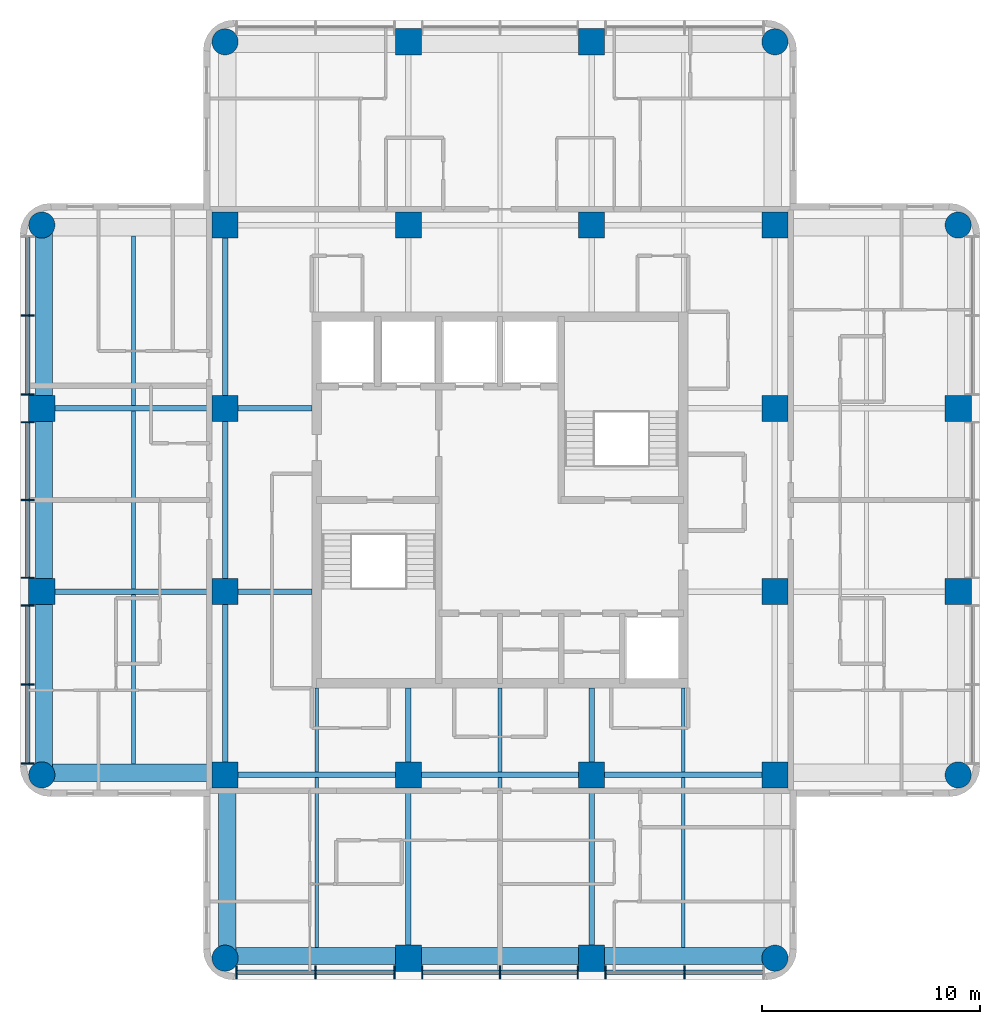
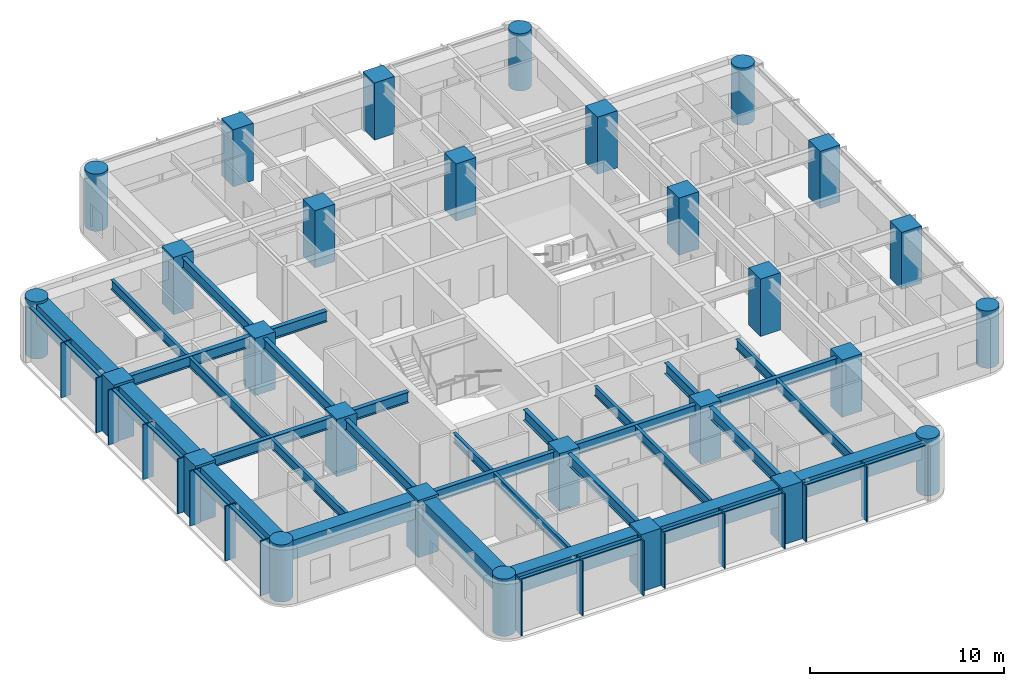
# One storey, part 1 of 10: 31 beams, 28 columns, 28 members, 2 elements without a shape of their own.
"""IFC4 building model written with IfcOpenShell, lengths in metres."""

from ifc_helpers import new_model, si_unit, direction, frame, origin, origin_2d, place, context, subcontext, project, spatial, rectangle, circle, i_section, extrude, material, material_profile, profile_set, type_object, element, aggregate, save


model = new_model("IFC4")

# Units and contexts
model_context = context("Model", 3, precision=1e-05, world=origin(), true_north=direction((0.0, 1.0)))
body_context = subcontext(model_context, "Body", "Model", "MODEL_VIEW")
ifc_project = project(units=[si_unit("LENGTHUNIT", "METRE"), si_unit("AREAUNIT", "SQUARE_METRE"), si_unit("VOLUMEUNIT", "CUBIC_METRE"), si_unit("PLANEANGLEUNIT", "RADIAN"), si_unit("MASSUNIT", "GRAM", prefix="KILO")], contexts=[model_context])

# Site, building, storey
site_placement = place(None, origin())
site = spatial("IfcSite", under=ifc_project, at=site_placement, CompositionType="ELEMENT")
building_placement = place(site_placement, origin())
building = spatial("IfcBuilding", under=site, at=building_placement, Name="Torre Alcanfor", CompositionType="ELEMENT")
storey_placement = place(building_placement, frame((0.0, 0.0, 293.699951171875)))
storey = spatial("IfcBuildingStorey", under=building, at=storey_placement, Name="L77", CompositionType="ELEMENT", Elevation=293.699951171875)

# Columns
ifc_material_1 = material(Name="Concrete f'c 70 MPa", Category="concrete")
ifc_material_profile_1 = material_profile(ifc_material_1, rectangle(XDim=1.199951171875, YDim=1.199951171875, at=origin_2d()), Name="1200x1200")
ifc_profile_set_1 = profile_set([ifc_material_profile_1], Name="Concrete f'c 70 MPa")
column_type_1 = type_object("IfcColumnType", Name="RC column 1200x1200 f'c70", PredefinedType="COLUMN", material=ifc_profile_set_1)
for number, where, z_axis, x_axis, name in (
    (1, (8.39990234375, 25.199951171875, 0.0), (0.0, 0.0, 1.0), (1.0, 0.0, 0.0), "Column 2/F L77"),
    (2, (8.39990234375, 33.60009765625, 0.0), (0.0, 0.0, 1.0), (1.0, 0.0, 0.0), "Column 2/G L77"),
    (3, (16.800048828125, 16.800048828125, 0.0), (0.0, 0.0, 1.0), (1.0, 0.0, 0.0), "Column 3/E L77"),
    (4, (16.800048828125, 25.199951171875, 0.0), (0.0, 0.0, 1.0), (1.0, 0.0, 0.0), "Column 3/F L77"),
    (5, (16.800048828125, 33.60009765625, 0.0), (0.0, 0.0, 1.0), (1.0, 0.0, 0.0), "Column 3/G L77"),
    (6, (16.800048828125, 42.0, 0.0), (0.0, 0.0, 1.0), (1.0, 0.0, 0.0), "Column 3/H L77"),
    (7, (25.199951171875, 8.39990234375, 0.0), (0.0, 0.0, 1.0), (1.0, 0.0, 0.0), "Column 4/D L77"),
    (8, (25.199951171875, 16.800048828125, 0.0), (0.0, 0.0, 1.0), (1.0, 0.0, 0.0), "Column 4/E L77"),
    (9, (25.199951171875, 42.0, 0.0), (0.0, 0.0, 1.0), (1.0, 0.0, 0.0), "Column 4/H L77"),
    (10, (25.199951171875, 50.39990234375, 0.0), (0.0, 0.0, 1.0), (1.0, 0.0, 0.0), "Column 4/J L77"),
    (11, (33.60009765625, 8.39990234375, 0.0), (0.0, 0.0, 1.0), (1.0, 0.0, 0.0), "Column 5/D L77"),
    (12, (33.60009765625, 16.800048828125, 0.0), (0.0, 0.0, 1.0), (1.0, 0.0, 0.0), "Column 5/E L77"),
    (13, (33.60009765625, 42.0, 0.0), (0.0, 0.0, 1.0), (1.0, 0.0, 0.0), "Column 5/H L77"),
    (14, (33.60009765625, 50.39990234375, 0.0), (0.0, 0.0, 1.0), (1.0, 0.0, 0.0), "Column 5/J L77"),
    (15, (42.0, 16.800048828125, 0.0), (0.0, 0.0, 1.0), (1.0, 0.0, 0.0), "Column 6/E L77"),
    (16, (42.0, 25.199951171875, 0.0), (0.0, 0.0, 1.0), (1.0, 0.0, 0.0), "Column 6/F L77"),
    (17, (42.0, 33.60009765625, 0.0), (0.0, 0.0, 1.0), (1.0, 0.0, 0.0), "Column 6/G L77"),
    (18, (42.0, 42.0, 0.0), (0.0, 0.0, 1.0), (1.0, 0.0, 0.0), "Column 6/H L77"),
    (19, (50.39990234375, 25.199951171875, 0.0), (0.0, 0.0, 1.0), (1.0, 0.0, 0.0), "Column 7/F L77"),
    (20, (50.39990234375, 33.60009765625, 0.0), (0.0, 0.0, 1.0), (1.0, 0.0, 0.0), "Column 7/G L77"),
):
    element("IfcColumn", number, at=place(storey_placement, frame(where, z_axis=z_axis, x_axis=x_axis)), inside=storey, type_object=column_type_1, Name=name, PredefinedType="COLUMN", context=body_context, shape_type="SweptSolid", body=[
        extrude(rectangle(XDim=1.199951171875, YDim=1.199951171875, at=origin_2d()), origin(), (0.0, 0.0, 1.0), 3.60009765625),
    ])
ifc_material_2 = material(Name="Concrete f'c 70 MPa", Category="concrete")
ifc_material_profile_2 = material_profile(ifc_material_2, circle(Radius=0.60009765625, at=origin_2d()), Name="D1200")
ifc_profile_set_2 = profile_set([ifc_material_profile_2], Name="Concrete f'c 70 MPa")
column_type_2 = type_object("IfcColumnType", Name="RC column D1200 f'c70", PredefinedType="COLUMN", material=ifc_profile_set_2)
for number, where, z_axis, x_axis, name in (
    (21, (8.39990234375, 16.800048828125, 0.0), (0.0, 0.0, 1.0), (1.0, 0.0, 0.0), "Column 2/E L77"),
    (22, (8.39990234375, 42.0, 0.0), (0.0, 0.0, 1.0), (1.0, 0.0, 0.0), "Column 2/H L77"),
    (23, (16.800048828125, 8.39990234375, 0.0), (0.0, 0.0, 1.0), (1.0, 0.0, 0.0), "Column 3/D L77"),
    (24, (16.800048828125, 50.39990234375, 0.0), (0.0, 0.0, 1.0), (1.0, 0.0, 0.0), "Column 3/J L77"),
    (25, (42.0, 8.39990234375, 0.0), (0.0, 0.0, 1.0), (1.0, 0.0, 0.0), "Column 6/D L77"),
    (26, (42.0, 50.39990234375, 0.0), (0.0, 0.0, 1.0), (1.0, 0.0, 0.0), "Column 6/J L77"),
    (27, (50.39990234375, 16.800048828125, 0.0), (0.0, 0.0, 1.0), (1.0, 0.0, 0.0), "Column 7/E L77"),
    (28, (50.39990234375, 42.0, 0.0), (0.0, 0.0, 1.0), (1.0, 0.0, 0.0), "Column 7/H L77"),
):
    element("IfcColumn", number, at=place(storey_placement, frame(where, z_axis=z_axis, x_axis=x_axis)), inside=storey, type_object=column_type_2, Name=name, PredefinedType="COLUMN", context=body_context, shape_type="SweptSolid", body=[
        extrude(circle(Radius=0.60009765625, at=origin_2d()), origin(), (0.0, 0.0, 1.0), 3.60009765625),
    ])

# Curtain wall, members
ifc_material_3 = material(Name="Aluminium and glass", Category="aluminium")
curtain_wall_type = type_object("IfcCurtainWallType", Name="CW-A unitised apartment glazing with vertical FIN", PredefinedType="NOTDEFINED", material=ifc_material_3)
curtain_wall_1_placement = place(storey_placement, origin())
curtain_wall_1 = element("IfcCurtainWall", 29, at=curtain_wall_1_placement, inside=storey, type_object=curtain_wall_type, Name="Curtain wall CW-A L77 2", PredefinedType="NOTDEFINED")
ifc_material_4 = material(Name="Bronze anodised aluminium", Category="aluminium")
ifc_material_profile_3 = material_profile(ifc_material_4, rectangle(XDim=0.60009765625, YDim=0.06494140625, at=origin_2d()), Name="CW-A mullion 65x600")
ifc_profile_set_3 = profile_set([ifc_material_profile_3], Name="Bronze anodised aluminium")
member_type_1 = type_object("IfcMemberType", Name="CW-A mullion with vertical FIN 65x600", PredefinedType="MULLION", material=ifc_profile_set_3)
member_1_placement = place(storey_placement, frame((7.75, 37.855712890625, 0.0), z_axis=(0.0, 0.0, 1.0), x_axis=(1.0, 0.0, 0.0)))
member_1 = element("IfcMember", 30, at=member_1_placement, type_object=member_type_1, Name="CW-A mullion 1.2", PredefinedType="MULLION", context=body_context, shape_type="SweptSolid", body=[
    extrude(rectangle(XDim=0.60009765625, YDim=0.06494140625, at=origin_2d()), origin(), (0.0, 0.0, 1.0), 3.449951171875),
])
member_2_placement = place(storey_placement, frame((7.75, 34.237548828125, 0.0), z_axis=(0.0, 0.0, 1.0), x_axis=(1.0, 0.0, 0.0)))
member_2 = element("IfcMember", 31, at=member_2_placement, type_object=member_type_1, Name="CW-A mullion 1.3", PredefinedType="MULLION", context=body_context, shape_type="SweptSolid", body=[
    extrude(rectangle(XDim=0.60009765625, YDim=0.06494140625, at=origin_2d()), origin(), (0.0, 0.0, 1.0), 3.449951171875),
])
member_3_placement = place(storey_placement, frame((7.75, 32.96240234375, 0.0), z_axis=(0.0, 0.0, 1.0), x_axis=(1.0, 0.0, 0.0)))
member_3 = element("IfcMember", 32, at=member_3_placement, type_object=member_type_1, Name="CW-A mullion 2.1", PredefinedType="MULLION", context=body_context, shape_type="SweptSolid", body=[
    extrude(rectangle(XDim=0.60009765625, YDim=0.06494140625, at=origin_2d()), origin(), (0.0, 0.0, 1.0), 3.449951171875),
])
member_4_placement = place(storey_placement, frame((7.75, 29.39990234375, 0.0), z_axis=(0.0, 0.0, 1.0), x_axis=(1.0, 0.0, 0.0)))
member_4 = element("IfcMember", 33, at=member_4_placement, type_object=member_type_1, Name="CW-A mullion 2.2", PredefinedType="MULLION", context=body_context, shape_type="SweptSolid", body=[
    extrude(rectangle(XDim=0.60009765625, YDim=0.06494140625, at=origin_2d()), origin(), (0.0, 0.0, 1.0), 3.449951171875),
])
member_5_placement = place(storey_placement, frame((7.75, 25.83740234375, 0.0), z_axis=(0.0, 0.0, 1.0), x_axis=(1.0, 0.0, 0.0)))
member_5 = element("IfcMember", 34, at=member_5_placement, type_object=member_type_1, Name="CW-A mullion 2.3", PredefinedType="MULLION", context=body_context, shape_type="SweptSolid", body=[
    extrude(rectangle(XDim=0.60009765625, YDim=0.06494140625, at=origin_2d()), origin(), (0.0, 0.0, 1.0), 3.449951171875),
])
member_6_placement = place(storey_placement, frame((7.75, 24.5625, 0.0), z_axis=(0.0, 0.0, 1.0), x_axis=(1.0, 0.0, 0.0)))
member_6 = element("IfcMember", 35, at=member_6_placement, type_object=member_type_1, Name="CW-A mullion 3.1", PredefinedType="MULLION", context=body_context, shape_type="SweptSolid", body=[
    extrude(rectangle(XDim=0.60009765625, YDim=0.06494140625, at=origin_2d()), origin(), (0.0, 0.0, 1.0), 3.449951171875),
])
member_7_placement = place(storey_placement, frame((7.75, 20.9443359375, 0.0), z_axis=(0.0, 0.0, 1.0), x_axis=(1.0, 0.0, 0.0)))
member_7 = element("IfcMember", 36, at=member_7_placement, type_object=member_type_1, Name="CW-A mullion 3.2", PredefinedType="MULLION", context=body_context, shape_type="SweptSolid", body=[
    extrude(rectangle(XDim=0.60009765625, YDim=0.06494140625, at=origin_2d()), origin(), (0.0, 0.0, 1.0), 3.449951171875),
])
member_8_placement = place(storey_placement, frame((7.75, 17.325927734375, 0.0), z_axis=(0.0, 0.0, 1.0), x_axis=(1.0, 0.0, 0.0)))
member_8 = element("IfcMember", 37, at=member_8_placement, type_object=member_type_1, Name="CW-A mullion 3.3", PredefinedType="MULLION", context=body_context, shape_type="SweptSolid", body=[
    extrude(rectangle(XDim=0.60009765625, YDim=0.06494140625, at=origin_2d()), origin(), (0.0, 0.0, 1.0), 3.449951171875),
])

curtain_wall_2_placement = place(storey_placement, origin())
curtain_wall_2 = element("IfcCurtainWall", 38, at=curtain_wall_2_placement, inside=storey, type_object=curtain_wall_type, Name="Curtain wall CW-A L77 5", PredefinedType="NOTDEFINED")
member_9_placement = place(storey_placement, frame((17.325927734375, 7.75, 0.0), z_axis=(0.0, 0.0, 1.0), x_axis=(0.0, 1.0, 0.0)))
member_9 = element("IfcMember", 39, at=member_9_placement, type_object=member_type_1, Name="CW-A mullion 1.1", PredefinedType="MULLION", context=body_context, shape_type="SweptSolid", body=[
    extrude(rectangle(XDim=0.60009765625, YDim=0.06494140625, at=origin_2d()), origin(), (0.0, 0.0, 1.0), 3.449951171875),
])
member_10_placement = place(storey_placement, frame((20.9443359375, 7.75, 0.0), z_axis=(0.0, 0.0, 1.0), x_axis=(0.0, 1.0, 0.0)))
member_10 = element("IfcMember", 40, at=member_10_placement, type_object=member_type_1, Name="CW-A mullion 1.2", PredefinedType="MULLION", context=body_context, shape_type="SweptSolid", body=[
    extrude(rectangle(XDim=0.60009765625, YDim=0.06494140625, at=origin_2d()), origin(), (0.0, 0.0, 1.0), 3.449951171875),
])
member_11_placement = place(storey_placement, frame((24.5625, 7.75, 0.0), z_axis=(0.0, 0.0, 1.0), x_axis=(0.0, 1.0, 0.0)))
member_11 = element("IfcMember", 41, at=member_11_placement, type_object=member_type_1, Name="CW-A mullion 1.3", PredefinedType="MULLION", context=body_context, shape_type="SweptSolid", body=[
    extrude(rectangle(XDim=0.60009765625, YDim=0.06494140625, at=origin_2d()), origin(), (0.0, 0.0, 1.0), 3.449951171875),
])
member_12_placement = place(storey_placement, frame((25.83740234375, 7.75, 0.0), z_axis=(0.0, 0.0, 1.0), x_axis=(0.0, 1.0, 0.0)))
member_12 = element("IfcMember", 42, at=member_12_placement, type_object=member_type_1, Name="CW-A mullion 2.1", PredefinedType="MULLION", context=body_context, shape_type="SweptSolid", body=[
    extrude(rectangle(XDim=0.60009765625, YDim=0.06494140625, at=origin_2d()), origin(), (0.0, 0.0, 1.0), 3.449951171875),
])
member_13_placement = place(storey_placement, frame((29.39990234375, 7.75, 0.0), z_axis=(0.0, 0.0, 1.0), x_axis=(0.0, 1.0, 0.0)))
member_13 = element("IfcMember", 43, at=member_13_placement, type_object=member_type_1, Name="CW-A mullion 2.2", PredefinedType="MULLION", context=body_context, shape_type="SweptSolid", body=[
    extrude(rectangle(XDim=0.60009765625, YDim=0.06494140625, at=origin_2d()), origin(), (0.0, 0.0, 1.0), 3.449951171875),
])
member_14_placement = place(storey_placement, frame((32.96240234375, 7.75, 0.0), z_axis=(0.0, 0.0, 1.0), x_axis=(0.0, 1.0, 0.0)))
member_14 = element("IfcMember", 44, at=member_14_placement, type_object=member_type_1, Name="CW-A mullion 2.3", PredefinedType="MULLION", context=body_context, shape_type="SweptSolid", body=[
    extrude(rectangle(XDim=0.60009765625, YDim=0.06494140625, at=origin_2d()), origin(), (0.0, 0.0, 1.0), 3.449951171875),
])
member_15_placement = place(storey_placement, frame((34.237548828125, 7.75, 0.0), z_axis=(0.0, 0.0, 1.0), x_axis=(0.0, 1.0, 0.0)))
member_15 = element("IfcMember", 45, at=member_15_placement, type_object=member_type_1, Name="CW-A mullion 3.1", PredefinedType="MULLION", context=body_context, shape_type="SweptSolid", body=[
    extrude(rectangle(XDim=0.60009765625, YDim=0.06494140625, at=origin_2d()), origin(), (0.0, 0.0, 1.0), 3.449951171875),
])
member_16_placement = place(storey_placement, frame((37.855712890625, 7.75, 0.0), z_axis=(0.0, 0.0, 1.0), x_axis=(0.0, 1.0, 0.0)))
member_16 = element("IfcMember", 46, at=member_16_placement, type_object=member_type_1, Name="CW-A mullion 3.2", PredefinedType="MULLION", context=body_context, shape_type="SweptSolid", body=[
    extrude(rectangle(XDim=0.60009765625, YDim=0.06494140625, at=origin_2d()), origin(), (0.0, 0.0, 1.0), 3.449951171875),
])

# Member
ifc_material_5 = material(Name="Extruded aluminium", Category="aluminium")
ifc_material_profile_4 = material_profile(ifc_material_5, rectangle(XDim=0.199951171875, YDim=0.06494140625, at=origin_2d()), Name="CW-A transom 200x65")
ifc_profile_set_4 = profile_set([ifc_material_profile_4], Name="Extruded aluminium")
member_type_2 = type_object("IfcMemberType", Name="CW-A transom 65x200", PredefinedType="USERDEFINED", material=ifc_profile_set_4)
member_17_placement = place(storey_placement, frame((7.75, 41.44140625, 3.41748046875), z_axis=(0.0, -1.0, 0.0), x_axis=(1.0, 0.0, 0.0)))
member_17 = element("IfcMember", 47, at=member_17_placement, type_object=member_type_2, Name="CW-A transom 1.1.2", ObjectType="TRANSOM", PredefinedType="USERDEFINED", context=body_context, shape_type="SweptSolid", body=[
    extrude(rectangle(XDim=0.199951171875, YDim=0.06494140625, at=origin_2d()), origin(), (0.0, 0.0, 1.0), 3.55322265625),
])

member_18_placement = place(storey_placement, frame((7.75, 37.8232421875, 3.41748046875), z_axis=(0.0, -1.0, 0.0), x_axis=(1.0, 0.0, 0.0)))
member_18 = element("IfcMember", 48, at=member_18_placement, type_object=member_type_2, Name="CW-A transom 1.2.2", ObjectType="TRANSOM", PredefinedType="USERDEFINED", context=body_context, shape_type="SweptSolid", body=[
    extrude(rectangle(XDim=0.199951171875, YDim=0.06494140625, at=origin_2d()), origin(), (0.0, 0.0, 1.0), 3.55322265625),
])

member_19_placement = place(storey_placement, frame((7.75, 32.929931640625, 3.41748046875), z_axis=(0.0, -1.0, 0.0), x_axis=(1.0, 0.0, 0.0)))
member_19 = element("IfcMember", 49, at=member_19_placement, type_object=member_type_2, Name="CW-A transom 2.1.2", ObjectType="TRANSOM", PredefinedType="USERDEFINED", context=body_context, shape_type="SweptSolid", body=[
    extrude(rectangle(XDim=0.199951171875, YDim=0.06494140625, at=origin_2d()), origin(), (0.0, 0.0, 1.0), 3.497314453125),
])

member_20_placement = place(storey_placement, frame((7.75, 29.367431640625, 3.41748046875), z_axis=(0.0, -1.0, 0.0), x_axis=(1.0, 0.0, 0.0)))
member_20 = element("IfcMember", 50, at=member_20_placement, type_object=member_type_2, Name="CW-A transom 2.2.2", ObjectType="TRANSOM", PredefinedType="USERDEFINED", context=body_context, shape_type="SweptSolid", body=[
    extrude(rectangle(XDim=0.199951171875, YDim=0.06494140625, at=origin_2d()), origin(), (0.0, 0.0, 1.0), 3.497314453125),
])

member_21_placement = place(storey_placement, frame((7.75, 24.530029296875, 3.41748046875), z_axis=(0.0, -1.0, 0.0), x_axis=(1.0, 0.0, 0.0)))
member_21 = element("IfcMember", 51, at=member_21_placement, type_object=member_type_2, Name="CW-A transom 3.1.2", ObjectType="TRANSOM", PredefinedType="USERDEFINED", context=body_context, shape_type="SweptSolid", body=[
    extrude(rectangle(XDim=0.199951171875, YDim=0.06494140625, at=origin_2d()), origin(), (0.0, 0.0, 1.0), 3.55322265625),
])

member_22_placement = place(storey_placement, frame((7.75, 20.911865234375, 3.41748046875), z_axis=(0.0, -1.0, 0.0), x_axis=(1.0, 0.0, 0.0)))
member_22 = element("IfcMember", 52, at=member_22_placement, type_object=member_type_2, Name="CW-A transom 3.2.2", ObjectType="TRANSOM", PredefinedType="USERDEFINED", context=body_context, shape_type="SweptSolid", body=[
    extrude(rectangle(XDim=0.199951171875, YDim=0.06494140625, at=origin_2d()), origin(), (0.0, 0.0, 1.0), 3.553466796875),
])

aggregate(curtain_wall_1, [member_1, member_2, member_17, member_18, member_3, member_4, member_5, member_19, member_20, member_6, member_7, member_8, member_21, member_22])

member_23_placement = place(storey_placement, frame((17.3583984375, 7.75, 3.41748046875), z_axis=(1.0, 0.0, 0.0), x_axis=(0.0, 1.0, 0.0)))
member_23 = element("IfcMember", 53, at=member_23_placement, type_object=member_type_2, Name="CW-A transom 1.1.2", ObjectType="TRANSOM", PredefinedType="USERDEFINED", context=body_context, shape_type="SweptSolid", body=[
    extrude(rectangle(XDim=0.199951171875, YDim=0.06494140625, at=origin_2d()), origin(), (0.0, 0.0, 1.0), 3.553466796875),
])

member_24_placement = place(storey_placement, frame((20.976806640625, 7.75, 3.41748046875), z_axis=(1.0, 0.0, 0.0), x_axis=(0.0, 1.0, 0.0)))
member_24 = element("IfcMember", 54, at=member_24_placement, type_object=member_type_2, Name="CW-A transom 1.2.2", ObjectType="TRANSOM", PredefinedType="USERDEFINED", context=body_context, shape_type="SweptSolid", body=[
    extrude(rectangle(XDim=0.199951171875, YDim=0.06494140625, at=origin_2d()), origin(), (0.0, 0.0, 1.0), 3.55322265625),
])

member_25_placement = place(storey_placement, frame((25.8701171875, 7.75, 3.41748046875), z_axis=(1.0, 0.0, 0.0), x_axis=(0.0, 1.0, 0.0)))
member_25 = element("IfcMember", 55, at=member_25_placement, type_object=member_type_2, Name="CW-A transom 2.1.2", ObjectType="TRANSOM", PredefinedType="USERDEFINED", context=body_context, shape_type="SweptSolid", body=[
    extrude(rectangle(XDim=0.199951171875, YDim=0.06494140625, at=origin_2d()), origin(), (0.0, 0.0, 1.0), 3.497314453125),
])

member_26_placement = place(storey_placement, frame((29.4326171875, 7.75, 3.41748046875), z_axis=(1.0, 0.0, 0.0), x_axis=(0.0, 1.0, 0.0)))
member_26 = element("IfcMember", 56, at=member_26_placement, type_object=member_type_2, Name="CW-A transom 2.2.2", ObjectType="TRANSOM", PredefinedType="USERDEFINED", context=body_context, shape_type="SweptSolid", body=[
    extrude(rectangle(XDim=0.199951171875, YDim=0.06494140625, at=origin_2d()), origin(), (0.0, 0.0, 1.0), 3.497314453125),
])

member_27_placement = place(storey_placement, frame((34.27001953125, 7.75, 3.41748046875), z_axis=(1.0, 0.0, 0.0), x_axis=(0.0, 1.0, 0.0)))
member_27 = element("IfcMember", 57, at=member_27_placement, type_object=member_type_2, Name="CW-A transom 3.1.2", ObjectType="TRANSOM", PredefinedType="USERDEFINED", context=body_context, shape_type="SweptSolid", body=[
    extrude(rectangle(XDim=0.199951171875, YDim=0.06494140625, at=origin_2d()), origin(), (0.0, 0.0, 1.0), 3.55322265625),
])

member_28_placement = place(storey_placement, frame((37.88818359375, 7.75, 3.41748046875), z_axis=(1.0, 0.0, 0.0), x_axis=(0.0, 1.0, 0.0)))
member_28 = element("IfcMember", 58, at=member_28_placement, type_object=member_type_2, Name="CW-A transom 3.2.2", ObjectType="TRANSOM", PredefinedType="USERDEFINED", context=body_context, shape_type="SweptSolid", body=[
    extrude(rectangle(XDim=0.199951171875, YDim=0.06494140625, at=origin_2d()), origin(), (0.0, 0.0, 1.0), 3.55322265625),
])

aggregate(curtain_wall_2, [member_9, member_10, member_11, member_23, member_24, member_12, member_13, member_14, member_25, member_26, member_15, member_16, member_27, member_28])

# Beams
ifc_material_6 = material(Name="Steel ASTM A992 Grade 50", Category="steel")
ifc_material_profile_5 = material_profile(ifc_material_6, i_section(OverallWidth=0.25390625, OverallDepth=0.683349609375, WebThickness=0.012451171875, FlangeThickness=0.01904296875, at=origin_2d()), Name="W27x94")
ifc_profile_set_5 = profile_set([ifc_material_profile_5], Name="Steel ASTM A992 Grade 50")
beam_type_1 = type_object("IfcBeamType", Name="Girder W27x94", PredefinedType="BEAM", material=ifc_profile_set_5)
beam_1_placement = place(storey_placement, frame((16.800048828125, 16.800048828125, 3.1083984375), z_axis=(1.0, 0.0, 0.0), x_axis=(0.0, 1.0, 0.0)))
element("IfcBeam", 59, at=beam_1_placement, inside=storey, type_object=beam_type_1, Name="Beam 3E-4E under L78", PredefinedType="BEAM", context=body_context, shape_type="SweptSolid", body=[
    extrude(i_section(OverallWidth=0.25390625, OverallDepth=0.683349609375, WebThickness=0.012451171875, FlangeThickness=0.01904296875, at=origin_2d()), origin(), (0.0, 0.0, 1.0), 8.39990234375),
])
beam_2_placement = place(storey_placement, frame((25.199951171875, 16.800048828125, 3.1083984375), z_axis=(1.0, 0.0, 0.0), x_axis=(0.0, 1.0, 0.0)))
element("IfcBeam", 60, at=beam_2_placement, inside=storey, type_object=beam_type_1, Name="Beam 4E-5E under L78", PredefinedType="BEAM", context=body_context, shape_type="SweptSolid", body=[
    extrude(i_section(OverallWidth=0.25390625, OverallDepth=0.683349609375, WebThickness=0.012451171875, FlangeThickness=0.01904296875, at=origin_2d()), origin(), (0.0, 0.0, 1.0), 8.400146484375),
])
beam_3_placement = place(storey_placement, frame((33.60009765625, 16.800048828125, 3.1083984375), z_axis=(1.0, 0.0, 0.0), x_axis=(0.0, 1.0, 0.0)))
element("IfcBeam", 61, at=beam_3_placement, inside=storey, type_object=beam_type_1, Name="Beam 5E-6E under L78", PredefinedType="BEAM", context=body_context, shape_type="SweptSolid", body=[
    extrude(i_section(OverallWidth=0.25390625, OverallDepth=0.683349609375, WebThickness=0.012451171875, FlangeThickness=0.01904296875, at=origin_2d()), origin(), (0.0, 0.0, 1.0), 8.39990234375),
])
for number, where, z_axis, x_axis, name in (
    (62, (8.39990234375, 25.199951171875, 3.1083984375), (1.0, 0.0, 0.0), (0.0, 1.0, 0.0), "Beam 2F-3F under L78"),
    (63, (8.39990234375, 33.60009765625, 3.1083984375), (1.0, 0.0, 0.0), (0.0, 1.0, 0.0), "Beam 2G-3G under L78"),
):
    element("IfcBeam", number, at=place(storey_placement, frame(where, z_axis=z_axis, x_axis=x_axis)), inside=storey, type_object=beam_type_1, Name=name, PredefinedType="BEAM", context=body_context, shape_type="SweptSolid", body=[
        extrude(i_section(OverallWidth=0.25390625, OverallDepth=0.683349609375, WebThickness=0.012451171875, FlangeThickness=0.01904296875, at=origin_2d()), origin(), (0.0, 0.0, 1.0), 8.400146484375),
    ])
beam_4_placement = place(storey_placement, frame((16.800048828125, 16.800048828125, 3.1083984375), z_axis=(0.0, 1.0, 0.0), x_axis=(-1.0, 0.0, 0.0)))
element("IfcBeam", 64, at=beam_4_placement, inside=storey, type_object=beam_type_1, Name="Beam 3E-3F under L78", PredefinedType="BEAM", context=body_context, shape_type="SweptSolid", body=[
    extrude(i_section(OverallWidth=0.25390625, OverallDepth=0.683349609375, WebThickness=0.012451171875, FlangeThickness=0.01904296875, at=origin_2d()), origin(), (0.0, 0.0, 1.0), 8.39990234375),
])
beam_5_placement = place(storey_placement, frame((16.800048828125, 25.199951171875, 3.1083984375), z_axis=(0.0, 1.0, 0.0), x_axis=(-1.0, 0.0, 0.0)))
element("IfcBeam", 65, at=beam_5_placement, inside=storey, type_object=beam_type_1, Name="Beam 3F-3G under L78", PredefinedType="BEAM", context=body_context, shape_type="SweptSolid", body=[
    extrude(i_section(OverallWidth=0.25390625, OverallDepth=0.683349609375, WebThickness=0.012451171875, FlangeThickness=0.01904296875, at=origin_2d()), origin(), (0.0, 0.0, 1.0), 8.400146484375),
])
beam_6_placement = place(storey_placement, frame((16.800048828125, 33.60009765625, 3.1083984375), z_axis=(0.0, 1.0, 0.0), x_axis=(-1.0, 0.0, 0.0)))
element("IfcBeam", 66, at=beam_6_placement, inside=storey, type_object=beam_type_1, Name="Beam 3G-3H under L78", PredefinedType="BEAM", context=body_context, shape_type="SweptSolid", body=[
    extrude(i_section(OverallWidth=0.25390625, OverallDepth=0.683349609375, WebThickness=0.012451171875, FlangeThickness=0.01904296875, at=origin_2d()), origin(), (0.0, 0.0, 1.0), 8.39990234375),
])
for number, where, z_axis, x_axis, name in (
    (67, (25.199951171875, 8.39990234375, 3.1083984375), (0.0, 1.0, 0.0), (-1.0, 0.0, 0.0), "Beam 4D-4E under L78"),
    (68, (33.60009765625, 8.39990234375, 3.1083984375), (0.0, 1.0, 0.0), (-1.0, 0.0, 0.0), "Beam 5D-5E under L78"),
):
    element("IfcBeam", number, at=place(storey_placement, frame(where, z_axis=z_axis, x_axis=x_axis)), inside=storey, type_object=beam_type_1, Name=name, PredefinedType="BEAM", context=body_context, shape_type="SweptSolid", body=[
        extrude(i_section(OverallWidth=0.25390625, OverallDepth=0.683349609375, WebThickness=0.012451171875, FlangeThickness=0.01904296875, at=origin_2d()), origin(), (0.0, 0.0, 1.0), 8.400146484375),
    ])
ifc_material_7 = material(Name="Steel ASTM A992 Grade 50", Category="steel")
ifc_material_profile_6 = material_profile(ifc_material_7, i_section(OverallWidth=0.25390625, OverallDepth=0.683349609375, WebThickness=0.012451171875, FlangeThickness=0.01904296875, at=origin_2d()), Name="W27x94")
ifc_profile_set_6 = profile_set([ifc_material_profile_6], Name="Steel ASTM A992 Grade 50")
beam_type_2 = type_object("IfcBeamType", Name="Girder, part bay W27x94", PredefinedType="BEAM", material=ifc_profile_set_6)
for number, where, z_axis, x_axis, name in (
    (69, (25.199951171875, 16.800048828125, 3.1083984375), (0.0, 1.0, 0.0), (-1.0, 0.0, 0.0), "Beam 4E-420_775 under L78"),
    (70, (33.60009765625, 16.800048828125, 3.1083984375), (0.0, 1.0, 0.0), (-1.0, 0.0, 0.0), "Beam 5E-520_775 under L78"),
    (71, (16.800048828125, 25.199951171875, 3.1083984375), (1.0, 0.0, 0.0), (0.0, 1.0, 0.0), "Beam 3F-20_775F under L78"),
    (72, (16.800048828125, 33.60009765625, 3.1083984375), (1.0, 0.0, 0.0), (0.0, 1.0, 0.0), "Beam 3G-20_775G under L78"),
):
    element("IfcBeam", number, at=place(storey_placement, frame(where, z_axis=z_axis, x_axis=x_axis)), inside=storey, type_object=beam_type_2, Name=name, PredefinedType="BEAM", context=body_context, shape_type="SweptSolid", body=[
        extrude(i_section(OverallWidth=0.25390625, OverallDepth=0.683349609375, WebThickness=0.012451171875, FlangeThickness=0.01904296875, at=origin_2d()), origin(), (0.0, 0.0, 1.0), 3.974853515625),
    ])
ifc_material_8 = material(Name="Concrete f'c 70 MPa", Category="concrete")
ifc_material_profile_7 = material_profile(ifc_material_8, rectangle(XDim=0.800048828125, YDim=1.199951171875, at=origin_2d()), Name="800x1200")
ifc_profile_set_7 = profile_set([ifc_material_profile_7], Name="Concrete f'c 70 MPa")
beam_type_3 = type_object("IfcBeamType", Name="RC perimeter beam 800x1200", PredefinedType="BEAM", material=ifc_profile_set_7)
beam_7_placement = place(storey_placement, frame((16.800048828125, 8.5, 2.85009765625), z_axis=(1.0, 0.0, 0.0), x_axis=(0.0, 1.0, 0.0)))
element("IfcBeam", 73, at=beam_7_placement, inside=storey, type_object=beam_type_3, Name="Beam 3D-4D under L78", PredefinedType="BEAM", context=body_context, shape_type="SweptSolid", body=[
    extrude(rectangle(XDim=0.800048828125, YDim=1.199951171875, at=origin_2d()), origin(), (0.0, 0.0, 1.0), 8.27294921875),
])
beam_8_placement = place(storey_placement, frame((25.326904296875, 8.5, 2.85009765625), z_axis=(1.0, 0.0, 0.0), x_axis=(0.0, 1.0, 0.0)))
element("IfcBeam", 74, at=beam_8_placement, inside=storey, type_object=beam_type_3, Name="Beam 4D-5D under L78", PredefinedType="BEAM", context=body_context, shape_type="SweptSolid", body=[
    extrude(rectangle(XDim=0.800048828125, YDim=1.199951171875, at=origin_2d()), origin(), (0.0, 0.0, 1.0), 8.14599609375),
])
beam_9_placement = place(storey_placement, frame((33.72705078125, 8.5, 2.85009765625), z_axis=(1.0, 0.0, 0.0), x_axis=(0.0, 1.0, 0.0)))
element("IfcBeam", 75, at=beam_9_placement, inside=storey, type_object=beam_type_3, Name="Beam 5D-6D under L78", PredefinedType="BEAM", context=body_context, shape_type="SweptSolid", body=[
    extrude(rectangle(XDim=0.800048828125, YDim=1.199951171875, at=origin_2d()), origin(), (0.0, 0.0, 1.0), 8.27294921875),
])
beam_10_placement = place(storey_placement, frame((8.39990234375, 16.89990234375, 2.85009765625), z_axis=(1.0, 0.0, 0.0), x_axis=(0.0, 1.0, 0.0)))
element("IfcBeam", 76, at=beam_10_placement, inside=storey, type_object=beam_type_3, Name="Beam 2E-3E under L78", PredefinedType="BEAM", context=body_context, shape_type="SweptSolid", body=[
    extrude(rectangle(XDim=0.800048828125, YDim=1.199951171875, at=origin_2d()), origin(), (0.0, 0.0, 1.0), 8.273193359375),
])
beam_11_placement = place(storey_placement, frame((8.5, 16.800048828125, 2.85009765625), z_axis=(0.0, 1.0, 0.0), x_axis=(-1.0, 0.0, 0.0)))
element("IfcBeam", 77, at=beam_11_placement, inside=storey, type_object=beam_type_3, Name="Beam 2E-2F under L78", PredefinedType="BEAM", context=body_context, shape_type="SweptSolid", body=[
    extrude(rectangle(XDim=0.800048828125, YDim=1.199951171875, at=origin_2d()), origin(), (0.0, 0.0, 1.0), 8.27294921875),
])
beam_12_placement = place(storey_placement, frame((8.5, 25.326904296875, 2.85009765625), z_axis=(0.0, 1.0, 0.0), x_axis=(-1.0, 0.0, 0.0)))
element("IfcBeam", 78, at=beam_12_placement, inside=storey, type_object=beam_type_3, Name="Beam 2F-2G under L78", PredefinedType="BEAM", context=body_context, shape_type="SweptSolid", body=[
    extrude(rectangle(XDim=0.800048828125, YDim=1.199951171875, at=origin_2d()), origin(), (0.0, 0.0, 1.0), 8.14599609375),
])
beam_13_placement = place(storey_placement, frame((8.5, 33.72705078125, 2.85009765625), z_axis=(0.0, 1.0, 0.0), x_axis=(-1.0, 0.0, 0.0)))
element("IfcBeam", 79, at=beam_13_placement, inside=storey, type_object=beam_type_3, Name="Beam 2G-2H under L78", PredefinedType="BEAM", context=body_context, shape_type="SweptSolid", body=[
    extrude(rectangle(XDim=0.800048828125, YDim=1.199951171875, at=origin_2d()), origin(), (0.0, 0.0, 1.0), 8.27294921875),
])
beam_14_placement = place(storey_placement, frame((16.89990234375, 8.39990234375, 2.85009765625), z_axis=(0.0, 1.0, 0.0), x_axis=(-1.0, 0.0, 0.0)))
element("IfcBeam", 80, at=beam_14_placement, inside=storey, type_object=beam_type_3, Name="Beam 3D-3E under L78", PredefinedType="BEAM", context=body_context, shape_type="SweptSolid", body=[
    extrude(rectangle(XDim=0.800048828125, YDim=1.199951171875, at=origin_2d()), origin(), (0.0, 0.0, 1.0), 8.273193359375),
])
ifc_material_9 = material(Name="Steel ASTM A992 Grade 50", Category="steel")
ifc_material_profile_8 = material_profile(ifc_material_9, i_section(OverallWidth=0.1787109375, OverallDepth=0.60205078125, WebThickness=0.010986328125, FlangeThickness=0.014892578125, at=origin_2d()), Name="W24x62")
ifc_profile_set_8 = profile_set([ifc_material_profile_8], Name="Steel ASTM A992 Grade 50")
beam_type_4 = type_object("IfcBeamType", Name="Secondary beam W24x62", PredefinedType="BEAM", material=ifc_profile_set_8)
beam_15_placement = place(storey_placement, frame((12.60009765625, 17.300048828125, 3.149169921875), z_axis=(0.0, 1.0, 0.0), x_axis=(-1.0, 0.0, 0.0)))
element("IfcBeam", 81, at=beam_15_placement, inside=storey, type_object=beam_type_4, Name="Beam 12_6E-12_6F under L78", PredefinedType="BEAM", context=body_context, shape_type="SweptSolid", body=[
    extrude(i_section(OverallWidth=0.1787109375, OverallDepth=0.60205078125, WebThickness=0.010986328125, FlangeThickness=0.014892578125, at=origin_2d()), origin(), (0.0, 0.0, 1.0), 7.77294921875),
])
beam_16_placement = place(storey_placement, frame((12.60009765625, 25.326904296875, 3.149169921875), z_axis=(0.0, 1.0, 0.0), x_axis=(-1.0, 0.0, 0.0)))
element("IfcBeam", 82, at=beam_16_placement, inside=storey, type_object=beam_type_4, Name="Beam 12_6F-12_6G under L78", PredefinedType="BEAM", context=body_context, shape_type="SweptSolid", body=[
    extrude(i_section(OverallWidth=0.1787109375, OverallDepth=0.60205078125, WebThickness=0.010986328125, FlangeThickness=0.014892578125, at=origin_2d()), origin(), (0.0, 0.0, 1.0), 8.14599609375),
])
beam_17_placement = place(storey_placement, frame((12.60009765625, 33.72705078125, 3.149169921875), z_axis=(0.0, 1.0, 0.0), x_axis=(-1.0, 0.0, 0.0)))
element("IfcBeam", 83, at=beam_17_placement, inside=storey, type_object=beam_type_4, Name="Beam 12_6G-12_6H under L78", PredefinedType="BEAM", context=body_context, shape_type="SweptSolid", body=[
    extrude(i_section(OverallWidth=0.1787109375, OverallDepth=0.60205078125, WebThickness=0.010986328125, FlangeThickness=0.014892578125, at=origin_2d()), origin(), (0.0, 0.0, 1.0), 7.77294921875),
])
for number, where, z_axis, x_axis, name in (
    (84, (21.0, 8.89990234375, 3.149169921875), (0.0, 1.0, 0.0), (-1.0, 0.0, 0.0), "Beam 21D-21E under L78"),
    (85, (29.39990234375, 8.89990234375, 3.149169921875), (0.0, 1.0, 0.0), (-1.0, 0.0, 0.0), "Beam 29_4D-29_4E under L78"),
    (86, (37.800048828125, 8.89990234375, 3.149169921875), (0.0, 1.0, 0.0), (-1.0, 0.0, 0.0), "Beam 37_8D-37_8E under L78"),
):
    element("IfcBeam", number, at=place(storey_placement, frame(where, z_axis=z_axis, x_axis=x_axis)), inside=storey, type_object=beam_type_4, Name=name, PredefinedType="BEAM", context=body_context, shape_type="SweptSolid", body=[
        extrude(i_section(OverallWidth=0.1787109375, OverallDepth=0.60205078125, WebThickness=0.010986328125, FlangeThickness=0.014892578125, at=origin_2d()), origin(), (0.0, 0.0, 1.0), 7.773193359375),
    ])
ifc_material_10 = material(Name="Steel ASTM A992 Grade 50", Category="steel")
ifc_material_profile_9 = material_profile(ifc_material_10, i_section(OverallWidth=0.1787109375, OverallDepth=0.60205078125, WebThickness=0.010986328125, FlangeThickness=0.014892578125, at=origin_2d()), Name="W24x62")
ifc_profile_set_9 = profile_set([ifc_material_profile_9], Name="Steel ASTM A992 Grade 50")
beam_type_5 = type_object("IfcBeamType", Name="Secondary beam, part bay W24x62", PredefinedType="BEAM", material=ifc_profile_set_9)
for number, where, z_axis, x_axis, name in (
    (87, (21.0, 16.927001953125, 3.149169921875), (0.0, 1.0, 0.0), (-1.0, 0.0, 0.0), "Beam 21E-2120_775 under L78"),
    (88, (29.39990234375, 16.927001953125, 3.149169921875), (0.0, 1.0, 0.0), (-1.0, 0.0, 0.0), "Beam 29_4E-29_420_775 under L78"),
    (89, (37.800048828125, 16.927001953125, 3.149169921875), (0.0, 1.0, 0.0), (-1.0, 0.0, 0.0), "Beam 37_8E-37_820_775 under L78"),
):
    element("IfcBeam", number, at=place(storey_placement, frame(where, z_axis=z_axis, x_axis=x_axis)), inside=storey, type_object=beam_type_5, Name=name, PredefinedType="BEAM", context=body_context, shape_type="SweptSolid", body=[
        extrude(i_section(OverallWidth=0.1787109375, OverallDepth=0.60205078125, WebThickness=0.010986328125, FlangeThickness=0.014892578125, at=origin_2d()), origin(), (0.0, 0.0, 1.0), 3.847900390625),
    ])

save(model, "model.ifc")
